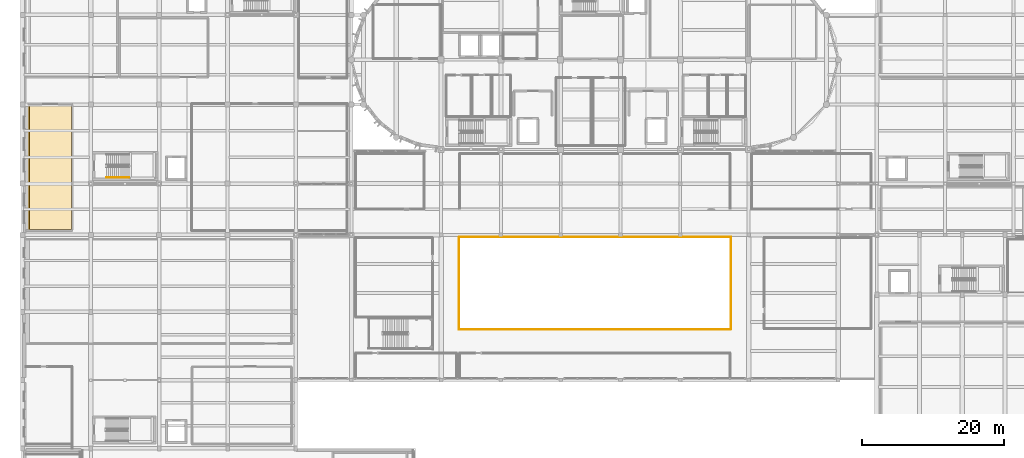
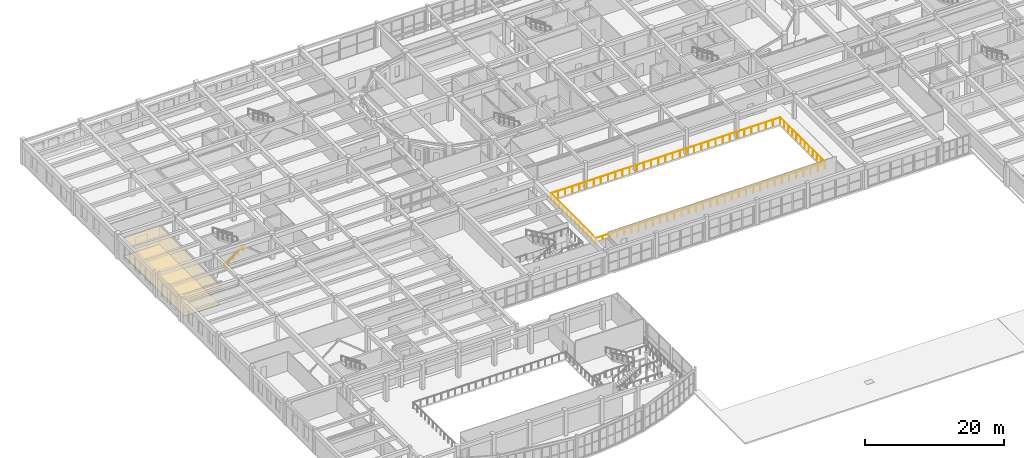
# One storey, part 83 of 92: 3 railings, 2 coverings.
"""IFC4 building model written with IfcOpenShell, lengths in metres."""

from ifc_helpers import new_model, si_unit, direction, frame, origin, origin_2d, place, context, subcontext, project, spatial, polyline, circle, outline, extrude, material, layer, layer_set, type_object, element, save


model = new_model("IFC4")

# Units and contexts
model_context = context("Model", 3, precision=1e-05, world=origin(), true_north=direction((0.0, 1.0)))
body_context = subcontext(model_context, "Body", "Model", "MODEL_VIEW")
ifc_project = project(units=[si_unit("LENGTHUNIT", "METRE"), si_unit("AREAUNIT", "SQUARE_METRE"), si_unit("VOLUMEUNIT", "CUBIC_METRE"), si_unit("PLANEANGLEUNIT", "RADIAN"), si_unit("MASSUNIT", "GRAM", prefix="KILO")], contexts=[model_context])

# Site, building, storey
site_placement = place(None, origin())
site = spatial("IfcSite", under=ifc_project, at=site_placement, CompositionType="ELEMENT")
building_placement = place(site_placement, origin())
building = spatial("IfcBuilding", under=site, at=building_placement, Name="Tarnavel Promenade Courthouse", CompositionType="ELEMENT")
storey_placement = place(building_placement, frame((0.0, 0.0, 5.39990234375)))
storey = spatial("IfcBuildingStorey", under=building, at=storey_placement, Name="L02", CompositionType="ELEMENT", Elevation=5.39990234375)

# Railing
ifc_material_1 = material(Name="Brushed Bronze Tubular Stair Handrail")
railing_type_1 = type_object("IfcRailingType", Name="Brushed Bronze Tubular Stair Handrail (RL-HND-0900)", PredefinedType="HANDRAIL", material=ifc_material_1)
railing_1_placement = place(storey_placement, frame((11.780029296875, 75.25, 0.1875)))
element("IfcRailing", 1, at=railing_1_placement, inside=storey, type_object=railing_type_1, Name="L02 ST-04 stair handrail 1", PredefinedType="HANDRAIL", context=body_context, shape_type="SweptSolid", body=[
    extrude(circle(Radius=0.02392578125, at=origin_2d()), frame((0.0, 0.0, 0.8759765625), z_axis=(0.839759782654, 0.0, 0.542958108362), x_axis=(0.0, 1.0, 0.0)), (0.0, 0.0, 1.0), 3.798583984375),
    extrude(circle(Radius=0.02099609375, at=origin_2d()), origin(), (0.0, 0.0, 1.0), 0.851806640625),
    extrude(circle(Radius=0.02099609375, at=origin_2d()), frame((0.79736328125, 0.0, 0.515625)), (0.0, 0.0, 1.0), 0.851806640625),
    extrude(circle(Radius=0.02099609375, at=origin_2d()), frame((1.594970703125, 0.0, 1.03125)), (0.0, 0.0, 1.0), 0.851806640625),
    extrude(circle(Radius=0.02099609375, at=origin_2d()), frame((2.392578125, 0.0, 1.546875)), (0.0, 0.0, 1.0), 0.851806640625),
    extrude(circle(Radius=0.02099609375, at=origin_2d()), frame((3.18994140625, 0.0, 2.0625)), (0.0, 0.0, 1.0), 0.851806640625),
])

# Covering
ifc_material_2 = material(Name="Engineered Smoked Oak Courtroom & Chambers Parquet")
ifc_layer_1 = layer(ifc_material_2, 0.031982421875)
ifc_layer_set_1 = layer_set([ifc_layer_1], Name="Engineered Smoked Oak Courtroom & Chambers Parquet")
covering_type_1 = type_object("IfcCoveringType", Name="Engineered Smoked Oak Courtroom & Chambers Parquet (COV-FLR-OAK-32)", PredefinedType="FLOORING", material=ifc_layer_set_1)
covering_1_placement = place(storey_placement, origin())
element("IfcCovering", 2, at=covering_1_placement, inside=storey, type_object=covering_type_1, Name="L02 Civil Trial Courtroom C Architectural Flooring 0011", PredefinedType="FLOORING", context=body_context, shape_type="SweptSolid", body=[
    extrude(outline(polyline([(0.949951171875, 67.949951171875), (6.85009765625, 67.949951171875), (6.85009765625, 85.449951171875), (0.949951171875, 85.449951171875), (0.949951171875, 67.949951171875)])), origin(), (0.0, 0.0, 1.0), 0.031982421875),
])

# Railings
ifc_material_3 = material(Name="Laminated Glass and Bronze Concourse Gallery Balustrade", Category="glass")
railing_type_2 = type_object("IfcRailingType", Name="Laminated Glass and Bronze Concourse Gallery Balustrade (RL-BAL-1180)", PredefinedType="BALUSTRADE", material=ifc_material_3)
railing_2_placement = place(storey_placement, frame((61.300048828125, 66.860107421875, 0.0)))
element("IfcRailing", 3, at=railing_2_placement, inside=storey, type_object=railing_type_2, Name="L02 Winter-Garden Atrium Balustrade South-West Run", PredefinedType="BALUSTRADE", context=body_context, shape_type="SweptSolid", body=[
    extrude(circle(Radius=0.02392578125, at=origin_2d()), frame((0.0, 0.0, 1.15576171875), z_axis=(0.0, -1.0, 0.0), x_axis=(1.0, 0.0, 0.0)), (0.0, 0.0, 1.0), 12.960205078125),
    extrude(circle(Radius=0.02392578125, at=origin_2d()), frame((0.0, -12.960205078125, 1.15576171875), z_axis=(1.0, 0.0, 0.0), x_axis=(0.0, 1.0, 0.0)), (0.0, 0.0, 1.0), 38.159912109375),
    extrude(circle(Radius=0.02099609375, at=origin_2d()), origin(), (0.0, 0.0, 1.0), 1.1318359375),
    extrude(circle(Radius=0.02099609375, at=origin_2d()), frame((0.0, -1.17822265625, 0.0)), (0.0, 0.0, 1.0), 1.1318359375),
    extrude(circle(Radius=0.02099609375, at=origin_2d()), frame((0.0, -2.3564453125, 0.0)), (0.0, 0.0, 1.0), 1.1318359375),
    extrude(circle(Radius=0.02099609375, at=origin_2d()), frame((0.0, -3.53466796875, 0.0)), (0.0, 0.0, 1.0), 1.1318359375),
    extrude(circle(Radius=0.02099609375, at=origin_2d()), frame((0.0, -4.712890625, 0.0)), (0.0, 0.0, 1.0), 1.1318359375),
    extrude(circle(Radius=0.02099609375, at=origin_2d()), frame((0.0, -5.89111328125, 0.0)), (0.0, 0.0, 1.0), 1.1318359375),
    extrude(circle(Radius=0.02099609375, at=origin_2d()), frame((0.0, -7.069091796875, 0.0)), (0.0, 0.0, 1.0), 1.1318359375),
    extrude(circle(Radius=0.02099609375, at=origin_2d()), frame((0.0, -8.247314453125, 0.0)), (0.0, 0.0, 1.0), 1.1318359375),
    extrude(circle(Radius=0.02099609375, at=origin_2d()), frame((0.0, -9.425537109375, 0.0)), (0.0, 0.0, 1.0), 1.1318359375),
    extrude(circle(Radius=0.02099609375, at=origin_2d()), frame((0.0, -10.603759765625, 0.0)), (0.0, 0.0, 1.0), 1.1318359375),
    extrude(circle(Radius=0.02099609375, at=origin_2d()), frame((0.0, -11.781982421875, 0.0)), (0.0, 0.0, 1.0), 1.1318359375),
    extrude(circle(Radius=0.02099609375, at=origin_2d()), frame((0.0, -12.960205078125, 0.0)), (0.0, 0.0, 1.0), 1.1318359375),
    extrude(circle(Radius=0.02099609375, at=origin_2d()), frame((1.1923828125, -12.960205078125, 0.0)), (0.0, 0.0, 1.0), 1.1318359375),
    extrude(circle(Radius=0.02099609375, at=origin_2d()), frame((2.385009765625, -12.960205078125, 0.0)), (0.0, 0.0, 1.0), 1.1318359375),
    extrude(circle(Radius=0.02099609375, at=origin_2d()), frame((3.577392578125, -12.960205078125, 0.0)), (0.0, 0.0, 1.0), 1.1318359375),
    extrude(circle(Radius=0.02099609375, at=origin_2d()), frame((4.77001953125, -12.960205078125, 0.0)), (0.0, 0.0, 1.0), 1.1318359375),
    extrude(circle(Radius=0.02099609375, at=origin_2d()), frame((5.96240234375, -12.960205078125, 0.0)), (0.0, 0.0, 1.0), 1.1318359375),
    extrude(circle(Radius=0.02099609375, at=origin_2d()), frame((7.155029296875, -12.960205078125, 0.0)), (0.0, 0.0, 1.0), 1.1318359375),
    extrude(circle(Radius=0.02099609375, at=origin_2d()), frame((8.347412109375, -12.960205078125, 0.0)), (0.0, 0.0, 1.0), 1.1318359375),
    extrude(circle(Radius=0.02099609375, at=origin_2d()), frame((9.5400390625, -12.960205078125, 0.0)), (0.0, 0.0, 1.0), 1.1318359375),
    extrude(circle(Radius=0.02099609375, at=origin_2d()), frame((10.732421875, -12.960205078125, 0.0)), (0.0, 0.0, 1.0), 1.1318359375),
    extrude(circle(Radius=0.02099609375, at=origin_2d()), frame((11.925048828125, -12.960205078125, 0.0)), (0.0, 0.0, 1.0), 1.1318359375),
    extrude(circle(Radius=0.02099609375, at=origin_2d()), frame((13.117431640625, -12.960205078125, 0.0)), (0.0, 0.0, 1.0), 1.1318359375),
    extrude(circle(Radius=0.02099609375, at=origin_2d()), frame((14.31005859375, -12.960205078125, 0.0)), (0.0, 0.0, 1.0), 1.1318359375),
    extrude(circle(Radius=0.02099609375, at=origin_2d()), frame((15.50244140625, -12.960205078125, 0.0)), (0.0, 0.0, 1.0), 1.1318359375),
    extrude(circle(Radius=0.02099609375, at=origin_2d()), frame((16.695068359375, -12.960205078125, 0.0)), (0.0, 0.0, 1.0), 1.1318359375),
    extrude(circle(Radius=0.02099609375, at=origin_2d()), frame((17.887451171875, -12.960205078125, 0.0)), (0.0, 0.0, 1.0), 1.1318359375),
    extrude(circle(Radius=0.02099609375, at=origin_2d()), frame((19.080078125, -12.960205078125, 0.0)), (0.0, 0.0, 1.0), 1.1318359375),
    extrude(circle(Radius=0.02099609375, at=origin_2d()), frame((20.2724609375, -12.960205078125, 0.0)), (0.0, 0.0, 1.0), 1.1318359375),
    extrude(circle(Radius=0.02099609375, at=origin_2d()), frame((21.46484375, -12.960205078125, 0.0)), (0.0, 0.0, 1.0), 1.1318359375),
    extrude(circle(Radius=0.02099609375, at=origin_2d()), frame((22.657470703125, -12.960205078125, 0.0)), (0.0, 0.0, 1.0), 1.1318359375),
    extrude(circle(Radius=0.02099609375, at=origin_2d()), frame((23.849853515625, -12.960205078125, 0.0)), (0.0, 0.0, 1.0), 1.1318359375),
    extrude(circle(Radius=0.02099609375, at=origin_2d()), frame((25.04248046875, -12.960205078125, 0.0)), (0.0, 0.0, 1.0), 1.1318359375),
    extrude(circle(Radius=0.02099609375, at=origin_2d()), frame((26.23486328125, -12.960205078125, 0.0)), (0.0, 0.0, 1.0), 1.1318359375),
    extrude(circle(Radius=0.02099609375, at=origin_2d()), frame((27.427490234375, -12.960205078125, 0.0)), (0.0, 0.0, 1.0), 1.1318359375),
    extrude(circle(Radius=0.02099609375, at=origin_2d()), frame((28.619873046875, -12.960205078125, 0.0)), (0.0, 0.0, 1.0), 1.1318359375),
    extrude(circle(Radius=0.02099609375, at=origin_2d()), frame((29.8125, -12.960205078125, 0.0)), (0.0, 0.0, 1.0), 1.1318359375),
    extrude(circle(Radius=0.02099609375, at=origin_2d()), frame((31.0048828125, -12.960205078125, 0.0)), (0.0, 0.0, 1.0), 1.1318359375),
    extrude(circle(Radius=0.02099609375, at=origin_2d()), frame((32.197509765625, -12.960205078125, 0.0)), (0.0, 0.0, 1.0), 1.1318359375),
    extrude(circle(Radius=0.02099609375, at=origin_2d()), frame((33.389892578125, -12.960205078125, 0.0)), (0.0, 0.0, 1.0), 1.1318359375),
    extrude(circle(Radius=0.02099609375, at=origin_2d()), frame((34.58251953125, -12.960205078125, 0.0)), (0.0, 0.0, 1.0), 1.1318359375),
    extrude(circle(Radius=0.02099609375, at=origin_2d()), frame((35.77490234375, -12.960205078125, 0.0)), (0.0, 0.0, 1.0), 1.1318359375),
    extrude(circle(Radius=0.02099609375, at=origin_2d()), frame((36.967529296875, -12.960205078125, 0.0)), (0.0, 0.0, 1.0), 1.1318359375),
    extrude(circle(Radius=0.02099609375, at=origin_2d()), frame((38.159912109375, -12.960205078125, 0.0)), (0.0, 0.0, 1.0), 1.1318359375),
])
railing_3_placement = place(storey_placement, frame((61.340087890625, 66.89990234375, 0.0)))
element("IfcRailing", 4, at=railing_3_placement, inside=storey, type_object=railing_type_2, Name="L02 Winter-Garden Atrium Balustrade North-East Run", PredefinedType="BALUSTRADE", context=body_context, shape_type="SweptSolid", body=[
    extrude(circle(Radius=0.02392578125, at=origin_2d()), frame((0.0, 0.0, 1.15576171875), z_axis=(1.0, 0.0, 0.0), x_axis=(0.0, 1.0, 0.0)), (0.0, 0.0, 1.0), 38.159912109375),
    extrude(circle(Radius=0.02392578125, at=origin_2d()), frame((38.159912109375, 0.0, 1.15576171875), z_axis=(0.0, -1.0, 0.0), x_axis=(1.0, 0.0, 0.0)), (0.0, 0.0, 1.0), 12.9599609375),
    extrude(circle(Radius=0.02099609375, at=origin_2d()), origin(), (0.0, 0.0, 1.0), 1.1318359375),
    extrude(circle(Radius=0.02099609375, at=origin_2d()), frame((1.1923828125, 0.0, 0.0)), (0.0, 0.0, 1.0), 1.1318359375),
    extrude(circle(Radius=0.02099609375, at=origin_2d()), frame((2.385009765625, 0.0, 0.0)), (0.0, 0.0, 1.0), 1.1318359375),
    extrude(circle(Radius=0.02099609375, at=origin_2d()), frame((3.577392578125, 0.0, 0.0)), (0.0, 0.0, 1.0), 1.1318359375),
    extrude(circle(Radius=0.02099609375, at=origin_2d()), frame((4.77001953125, 0.0, 0.0)), (0.0, 0.0, 1.0), 1.1318359375),
    extrude(circle(Radius=0.02099609375, at=origin_2d()), frame((5.96240234375, 0.0, 0.0)), (0.0, 0.0, 1.0), 1.1318359375),
    extrude(circle(Radius=0.02099609375, at=origin_2d()), frame((7.155029296875, 0.0, 0.0)), (0.0, 0.0, 1.0), 1.1318359375),
    extrude(circle(Radius=0.02099609375, at=origin_2d()), frame((8.347412109375, 0.0, 0.0)), (0.0, 0.0, 1.0), 1.1318359375),
    extrude(circle(Radius=0.02099609375, at=origin_2d()), frame((9.5400390625, 0.0, 0.0)), (0.0, 0.0, 1.0), 1.1318359375),
    extrude(circle(Radius=0.02099609375, at=origin_2d()), frame((10.732421875, 0.0, 0.0)), (0.0, 0.0, 1.0), 1.1318359375),
    extrude(circle(Radius=0.02099609375, at=origin_2d()), frame((11.925048828125, 0.0, 0.0)), (0.0, 0.0, 1.0), 1.1318359375),
    extrude(circle(Radius=0.02099609375, at=origin_2d()), frame((13.117431640625, 0.0, 0.0)), (0.0, 0.0, 1.0), 1.1318359375),
    extrude(circle(Radius=0.02099609375, at=origin_2d()), frame((14.31005859375, 0.0, 0.0)), (0.0, 0.0, 1.0), 1.1318359375),
    extrude(circle(Radius=0.02099609375, at=origin_2d()), frame((15.50244140625, 0.0, 0.0)), (0.0, 0.0, 1.0), 1.1318359375),
    extrude(circle(Radius=0.02099609375, at=origin_2d()), frame((16.695068359375, 0.0, 0.0)), (0.0, 0.0, 1.0), 1.1318359375),
    extrude(circle(Radius=0.02099609375, at=origin_2d()), frame((17.887451171875, 0.0, 0.0)), (0.0, 0.0, 1.0), 1.1318359375),
    extrude(circle(Radius=0.02099609375, at=origin_2d()), frame((19.080078125, 0.0, 0.0)), (0.0, 0.0, 1.0), 1.1318359375),
    extrude(circle(Radius=0.02099609375, at=origin_2d()), frame((20.2724609375, 0.0, 0.0)), (0.0, 0.0, 1.0), 1.1318359375),
    extrude(circle(Radius=0.02099609375, at=origin_2d()), frame((21.46484375, 0.0, 0.0)), (0.0, 0.0, 1.0), 1.1318359375),
    extrude(circle(Radius=0.02099609375, at=origin_2d()), frame((22.657470703125, 0.0, 0.0)), (0.0, 0.0, 1.0), 1.1318359375),
    extrude(circle(Radius=0.02099609375, at=origin_2d()), frame((23.849853515625, 0.0, 0.0)), (0.0, 0.0, 1.0), 1.1318359375),
    extrude(circle(Radius=0.02099609375, at=origin_2d()), frame((25.04248046875, 0.0, 0.0)), (0.0, 0.0, 1.0), 1.1318359375),
    extrude(circle(Radius=0.02099609375, at=origin_2d()), frame((26.23486328125, 0.0, 0.0)), (0.0, 0.0, 1.0), 1.1318359375),
    extrude(circle(Radius=0.02099609375, at=origin_2d()), frame((27.427490234375, 0.0, 0.0)), (0.0, 0.0, 1.0), 1.1318359375),
    extrude(circle(Radius=0.02099609375, at=origin_2d()), frame((28.619873046875, 0.0, 0.0)), (0.0, 0.0, 1.0), 1.1318359375),
    extrude(circle(Radius=0.02099609375, at=origin_2d()), frame((29.8125, 0.0, 0.0)), (0.0, 0.0, 1.0), 1.1318359375),
    extrude(circle(Radius=0.02099609375, at=origin_2d()), frame((31.0048828125, 0.0, 0.0)), (0.0, 0.0, 1.0), 1.1318359375),
    extrude(circle(Radius=0.02099609375, at=origin_2d()), frame((32.197509765625, 0.0, 0.0)), (0.0, 0.0, 1.0), 1.1318359375),
    extrude(circle(Radius=0.02099609375, at=origin_2d()), frame((33.389892578125, 0.0, 0.0)), (0.0, 0.0, 1.0), 1.1318359375),
    extrude(circle(Radius=0.02099609375, at=origin_2d()), frame((34.58251953125, 0.0, 0.0)), (0.0, 0.0, 1.0), 1.1318359375),
    extrude(circle(Radius=0.02099609375, at=origin_2d()), frame((35.77490234375, 0.0, 0.0)), (0.0, 0.0, 1.0), 1.1318359375),
    extrude(circle(Radius=0.02099609375, at=origin_2d()), frame((36.967529296875, 0.0, 0.0)), (0.0, 0.0, 1.0), 1.1318359375),
    extrude(circle(Radius=0.02099609375, at=origin_2d()), frame((38.159912109375, 0.0, 0.0)), (0.0, 0.0, 1.0), 1.1318359375),
    extrude(circle(Radius=0.02099609375, at=origin_2d()), frame((38.159912109375, -1.17822265625, 0.0)), (0.0, 0.0, 1.0), 1.1318359375),
    extrude(circle(Radius=0.02099609375, at=origin_2d()), frame((38.159912109375, -2.3564453125, 0.0)), (0.0, 0.0, 1.0), 1.1318359375),
    extrude(circle(Radius=0.02099609375, at=origin_2d()), frame((38.159912109375, -3.534423828125, 0.0)), (0.0, 0.0, 1.0), 1.1318359375),
    extrude(circle(Radius=0.02099609375, at=origin_2d()), frame((38.159912109375, -4.712646484375, 0.0)), (0.0, 0.0, 1.0), 1.1318359375),
    extrude(circle(Radius=0.02099609375, at=origin_2d()), frame((38.159912109375, -5.890869140625, 0.0)), (0.0, 0.0, 1.0), 1.1318359375),
    extrude(circle(Radius=0.02099609375, at=origin_2d()), frame((38.159912109375, -7.069091796875, 0.0)), (0.0, 0.0, 1.0), 1.1318359375),
    extrude(circle(Radius=0.02099609375, at=origin_2d()), frame((38.159912109375, -8.247314453125, 0.0)), (0.0, 0.0, 1.0), 1.1318359375),
    extrude(circle(Radius=0.02099609375, at=origin_2d()), frame((38.159912109375, -9.425537109375, 0.0)), (0.0, 0.0, 1.0), 1.1318359375),
    extrude(circle(Radius=0.02099609375, at=origin_2d()), frame((38.159912109375, -10.603515625, 0.0)), (0.0, 0.0, 1.0), 1.1318359375),
    extrude(circle(Radius=0.02099609375, at=origin_2d()), frame((38.159912109375, -11.78173828125, 0.0)), (0.0, 0.0, 1.0), 1.1318359375),
    extrude(circle(Radius=0.02099609375, at=origin_2d()), frame((38.159912109375, -12.9599609375, 0.0)), (0.0, 0.0, 1.0), 1.1318359375),
])

# Covering
ifc_material_4 = material(Name="Slatted Acoustic White Oak Baffle Ceiling")
ifc_layer_2 = layer(ifc_material_4, 0.06494140625)
ifc_layer_set_2 = layer_set([ifc_layer_2], Name="Slatted Acoustic White Oak Baffle Ceiling")
covering_type_2 = type_object("IfcCoveringType", Name="Slatted Acoustic White Oak Baffle Ceiling (COV-CLG-OAK-65)", PredefinedType="CEILING", material=ifc_layer_set_2)
covering_2_placement = place(storey_placement, frame((0.0, 0.0, 3.03515625)))
element("IfcCovering", 5, at=covering_2_placement, inside=storey, type_object=covering_type_2, Name="L02 Civil Trial Courtroom C Acoustic Ceiling 0011", PredefinedType="CEILING", context=body_context, shape_type="SweptSolid", body=[
    extrude(outline(polyline([(0.800048828125, 67.800048828125), (7.0, 67.800048828125), (7.0, 85.60009765625), (0.800048828125, 85.60009765625), (0.800048828125, 67.800048828125)])), origin(), (0.0, 0.0, 1.0), 0.06494140625),
])

save(model, "model.ifc")
